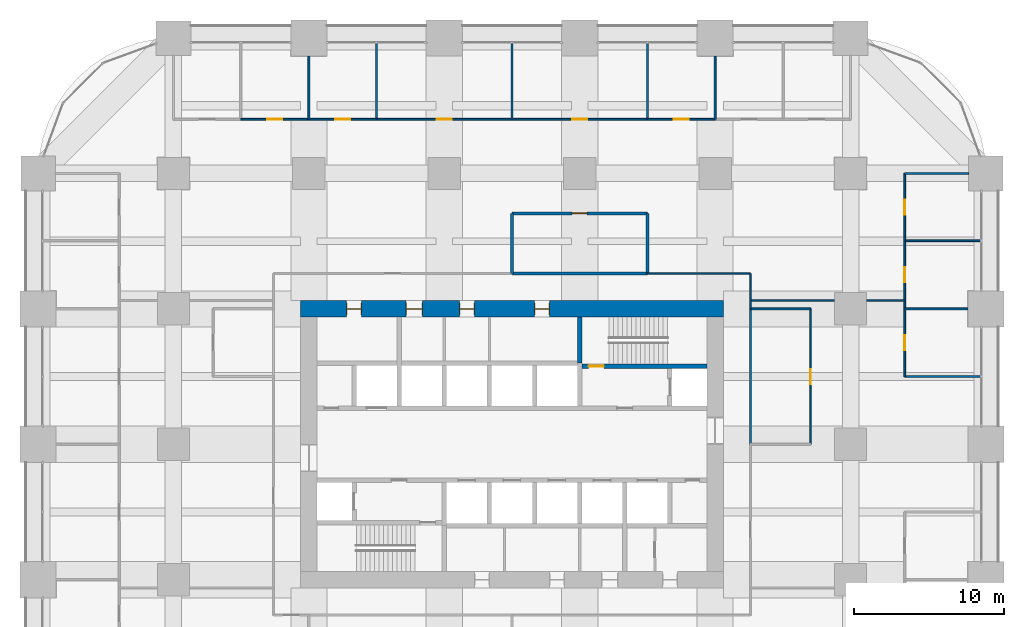
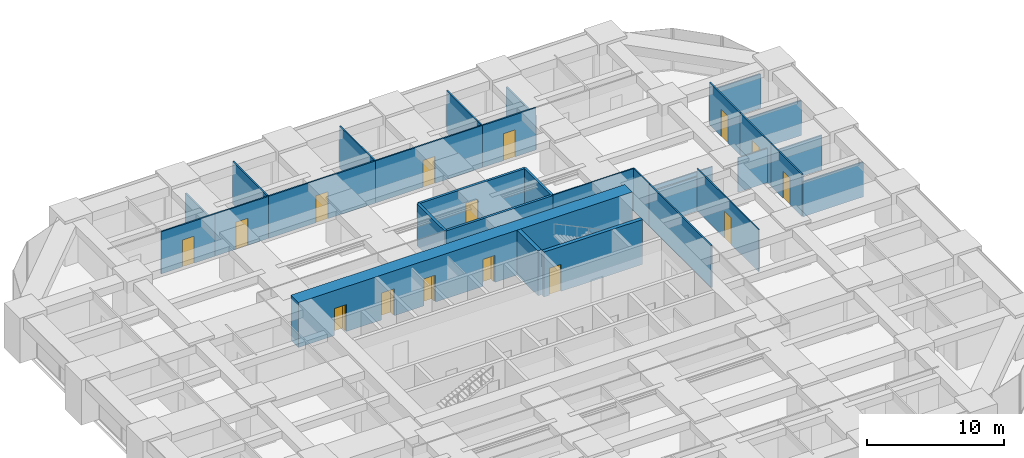
# One storey, part 42 of 45: 31 walls, 15 doors, 15 openings.
"""IFC4 building model written with IfcOpenShell, lengths in metres."""

from ifc_helpers import new_model, si_unit, direction, frame, frame_2d, origin, place, context, subcontext, project, spatial, rectangle, extrude, material, layer, layer_set, type_object, element, fill, save


model = new_model("IFC4")

# Units and contexts
model_context = context("Model", 3, precision=1e-05, world=origin(), true_north=direction((0.0, 1.0)))
body_context = subcontext(model_context, "Body", "Model", "MODEL_VIEW")
ifc_project = project(units=[si_unit("LENGTHUNIT", "METRE"), si_unit("AREAUNIT", "SQUARE_METRE"), si_unit("VOLUMEUNIT", "CUBIC_METRE"), si_unit("PLANEANGLEUNIT", "RADIAN"), si_unit("MASSUNIT", "GRAM", prefix="KILO")], contexts=[model_context])

# Site, building, storey
site_placement = place(None, origin())
site = spatial("IfcSite", under=ifc_project, at=site_placement, CompositionType="ELEMENT")
building_placement = place(site_placement, origin())
building = spatial("IfcBuilding", under=site, at=building_placement, Name="Zorevar Civic Tower", CompositionType="ELEMENT")
storey_placement = place(building_placement, frame((0.0, 0.0, 71.800048828125)))
storey = spatial("IfcBuildingStorey", under=building, at=storey_placement, Name="L17", CompositionType="ELEMENT", Elevation=71.800048828125)

# Wall
ifc_material_1 = material(Name="Concrete blockwork", Category="masonry")
ifc_layer_1 = layer(ifc_material_1, 0.199951171875)
ifc_layer_set_1 = layer_set([ifc_layer_1], Name="Blockwork wall 200")
wall_type_1 = type_object("IfcWallType", Name="Blockwork wall 200", PredefinedType="SOLIDWALL", material=ifc_layer_set_1)
wall_1_placement = place(storey_placement, frame((31.5, 38.35009765625, 0.0), z_axis=(0.0, 0.0, 1.0), x_axis=(1.0, 0.0, 0.0)))
element("IfcWall", 1, at=wall_1_placement, inside=storey, type_object=wall_type_1, Name="Blockwork wall 200 L17", PredefinedType="SOLIDWALL", context=body_context, shape_type="SweptSolid", body=[
    extrude(rectangle(XDim=9.0, YDim=0.199951171875, at=frame_2d((4.5, 0.0))), origin(), (0.0, 0.0, 1.0), 3.75),
])

# Wall, opening, door
wall_2_placement = place(storey_placement, frame((31.5, 42.35009765625, 0.0), z_axis=(0.0, 0.0, 1.0), x_axis=(1.0, 0.0, 0.0)))
wall_2 = element("IfcWall", 2, at=wall_2_placement, inside=storey, type_object=wall_type_1, Name="Blockwork wall 200 L17", PredefinedType="SOLIDWALL", context=body_context, shape_type="SweptSolid", body=[
    extrude(rectangle(XDim=9.0, YDim=0.199951171875, at=frame_2d((4.5, 0.0))), origin(), (0.0, 0.0, 1.0), 3.75),
])
opening_1_placement = place(wall_2_placement, frame((4.0, 0.0, 0.0)))
opening_1 = element("IfcOpeningElement", 3, at=opening_1_placement, cuts=wall_2, Name="Opening L17.28", PredefinedType="OPENING", context=body_context, shape_type="SweptSolid", body=[
    extrude(rectangle(XDim=1.0, YDim=2.39990234375, at=frame_2d((0.5, 1.199951171875))), frame((0.0, 0.10986328125, 0.0), z_axis=(0.0, -1.0, 0.0), x_axis=(1.0, 0.0, 0.0)), (0.0, 0.0, 1.0), 0.219970703125),
])
ifc_material_2 = material(Name="Steel door set", Category="steel")
door_type_1 = type_object("IfcDoorType", Name="Security door SD1 1000x2400", OperationType="SINGLE_SWING_LEFT", PredefinedType="DOOR", material=ifc_material_2)
door_1_placement = place(opening_1_placement, origin())
door_1 = element("IfcDoor", 4, at=door_1_placement, inside=storey, type_object=door_type_1, Name="Door L17 D1", OperationType="SINGLE_SWING_LEFT", OverallHeight=2.39990234375, OverallWidth=1.0, PredefinedType="DOOR", context=body_context, shape_type="SweptSolid", body=[
    extrude(rectangle(XDim=1.0, YDim=2.39990234375, at=frame_2d((0.5, 1.199951171875))), frame((0.0, 0.03515625, 0.0), z_axis=(0.0, -1.0, 0.0), x_axis=(1.0, 0.0, 0.0)), (0.0, 0.0, 1.0), 0.070068359375),
])
fill(opening_1, door_1)

# Walls
for number, where, z_axis, x_axis, name in (
    (5, (31.5, 38.35009765625, 0.0), (0.0, 0.0, 1.0), (0.0, 1.0, 0.0), "Blockwork wall 200 L17"),
    (6, (40.5, 38.35009765625, 0.0), (0.0, 0.0, 1.0), (0.0, 1.0, 0.0), "Blockwork wall 200 L17"),
):
    element("IfcWall", number, at=place(storey_placement, frame(where, z_axis=z_axis, x_axis=x_axis)), inside=storey, type_object=wall_type_1, Name=name, PredefinedType="SOLIDWALL", context=body_context, shape_type="SweptSolid", body=[
        extrude(rectangle(XDim=4.0, YDim=0.199951171875, at=frame_2d((2.0, 0.0))), origin(), (0.0, 0.0, 1.0), 3.75),
    ])

# Wall, openings, doors
ifc_material_3 = material(Name="Concrete C50/60", Category="concrete")
ifc_layer_2 = layer(ifc_material_3, 1.10009765625)
ifc_layer_set_2 = layer_set([ifc_layer_2], Name="Core wall 1100")
wall_type_2 = type_object("IfcWallType", Name="Core wall 1100", PredefinedType="SHEAR", material=ifc_layer_set_2)
wall_3_placement = place(storey_placement, frame((45.550048828125, 36.0, 0.0), z_axis=(0.0, 0.0, 1.0), x_axis=(-1.0, 0.0, 0.0)))
wall_3 = element("IfcWall", 7, at=wall_3_placement, inside=storey, type_object=wall_type_2, Name="Core wall N L17", PredefinedType="SHEAR", context=body_context, shape_type="SweptSolid", body=[
    extrude(rectangle(XDim=28.10009765625, YDim=1.10009765625, at=frame_2d((14.050048828125, 0.0))), origin(), (0.0, 0.0, 1.0), 4.0),
])
opening_2_placement = place(wall_3_placement, frame((11.550048828125, 0.0, 0.0)))
opening_2 = element("IfcOpeningElement", 8, at=opening_2_placement, cuts=wall_3, Name="Opening L17.07", PredefinedType="OPENING", context=body_context, shape_type="SweptSolid", body=[
    extrude(rectangle(XDim=1.0, YDim=2.39990234375, at=frame_2d((0.5, 1.199951171875))), frame((0.0, 0.56005859375, 0.0), z_axis=(0.0, -1.0, 0.0), x_axis=(1.0, 0.0, 0.0)), (0.0, 0.0, 1.0), 1.1201171875),
])
opening_3_placement = place(wall_3_placement, frame((16.550048828125, 0.0, 0.0)))
opening_3 = element("IfcOpeningElement", 9, at=opening_3_placement, cuts=wall_3, Name="Opening L17.08", PredefinedType="OPENING", context=body_context, shape_type="SweptSolid", body=[
    extrude(rectangle(XDim=1.0, YDim=2.39990234375, at=frame_2d((0.5, 1.199951171875))), frame((0.0, 0.56005859375, 0.0), z_axis=(0.0, -1.0, 0.0), x_axis=(1.0, 0.0, 0.0)), (0.0, 0.0, 1.0), 1.1201171875),
])
opening_4_placement = place(wall_3_placement, frame((20.0, 0.0, 0.0)))
opening_4 = element("IfcOpeningElement", 10, at=opening_4_placement, cuts=wall_3, Name="Opening L17.09", PredefinedType="OPENING", context=body_context, shape_type="SweptSolid", body=[
    extrude(rectangle(XDim=1.10009765625, YDim=2.39990234375, at=frame_2d((0.550048828125, 1.199951171875))), frame((0.0, 0.56005859375, 0.0), z_axis=(0.0, -1.0, 0.0), x_axis=(1.0, 0.0, 0.0)), (0.0, 0.0, 1.0), 1.1201171875),
])
opening_5_placement = place(wall_3_placement, frame((24.050048828125, 0.0, 0.0)))
opening_5 = element("IfcOpeningElement", 11, at=opening_5_placement, cuts=wall_3, Name="Opening L17.10", PredefinedType="OPENING", context=body_context, shape_type="SweptSolid", body=[
    extrude(rectangle(XDim=1.0, YDim=2.39990234375, at=frame_2d((0.5, 1.199951171875))), frame((0.0, 0.56005859375, 0.0), z_axis=(0.0, -1.0, 0.0), x_axis=(1.0, 0.0, 0.0)), (0.0, 0.0, 1.0), 1.1201171875),
])
ifc_material_4 = material(Name="Timber door set", Category="wood")
door_type_2 = type_object("IfcDoorType", Name="Door D1 1000x2400", OperationType="SINGLE_SWING_LEFT", PredefinedType="DOOR", material=ifc_material_4)
door_2_placement = place(opening_2_placement, origin())
door_2 = element("IfcDoor", 12, at=door_2_placement, inside=storey, type_object=door_type_2, Name="Door L17 06", OperationType="SINGLE_SWING_RIGHT", OverallHeight=2.39990234375, OverallWidth=1.0, PredefinedType="DOOR", context=body_context, shape_type="SweptSolid", body=[
    extrude(rectangle(XDim=1.0, YDim=2.39990234375, at=frame_2d((0.5, 1.199951171875))), frame((0.0, 0.02490234375, 0.0), z_axis=(0.0, -1.0, 0.0), x_axis=(1.0, 0.0, 0.0)), (0.0, 0.0, 1.0), 0.050048828125),
    extrude(rectangle(XDim=0.04, YDim=2.39990234375, at=frame_2d((0.02001953125, 1.199951171875))), frame((0.0, 0.39990234375, 0.0), z_axis=(0.0, -1.0, 0.0), x_axis=(1.0, 0.0, 0.0)), (0.0, 0.0, 1.0), 0.800048828125),
    extrude(rectangle(XDim=0.04, YDim=2.39990234375, at=frame_2d((0.97998046875, 1.199951171875))), frame((0.0, 0.39990234375, 0.0), z_axis=(0.0, -1.0, 0.0), x_axis=(1.0, 0.0, 0.0)), (0.0, 0.0, 1.0), 0.800048828125),
    extrude(rectangle(XDim=1.0, YDim=0.04, at=frame_2d((0.5, 2.3798828125))), frame((0.0, 0.39990234375, 0.0), z_axis=(0.0, -1.0, 0.0), x_axis=(1.0, 0.0, 0.0)), (0.0, 0.0, 1.0), 0.800048828125),
])
fill(opening_2, door_2)
door_3_placement = place(opening_3_placement, origin())
door_3 = element("IfcDoor", 13, at=door_3_placement, inside=storey, type_object=door_type_2, Name="Door L17 07", OperationType="SINGLE_SWING_LEFT", OverallHeight=2.39990234375, OverallWidth=1.0, PredefinedType="DOOR", context=body_context, shape_type="SweptSolid", body=[
    extrude(rectangle(XDim=1.0, YDim=2.39990234375, at=frame_2d((0.5, 1.199951171875))), frame((0.0, 0.02490234375, 0.0), z_axis=(0.0, -1.0, 0.0), x_axis=(1.0, 0.0, 0.0)), (0.0, 0.0, 1.0), 0.050048828125),
    extrude(rectangle(XDim=0.04, YDim=2.39990234375, at=frame_2d((0.02001953125, 1.199951171875))), frame((0.0, 0.39990234375, 0.0), z_axis=(0.0, -1.0, 0.0), x_axis=(1.0, 0.0, 0.0)), (0.0, 0.0, 1.0), 0.800048828125),
    extrude(rectangle(XDim=0.04, YDim=2.39990234375, at=frame_2d((0.97998046875, 1.199951171875))), frame((0.0, 0.39990234375, 0.0), z_axis=(0.0, -1.0, 0.0), x_axis=(1.0, 0.0, 0.0)), (0.0, 0.0, 1.0), 0.800048828125),
    extrude(rectangle(XDim=1.0, YDim=0.04, at=frame_2d((0.5, 2.3798828125))), frame((0.0, 0.39990234375, 0.0), z_axis=(0.0, -1.0, 0.0), x_axis=(1.0, 0.0, 0.0)), (0.0, 0.0, 1.0), 0.800048828125),
])
fill(opening_3, door_3)
door_4_placement = place(opening_5_placement, origin())
door_4 = element("IfcDoor", 14, at=door_4_placement, inside=storey, type_object=door_type_2, Name="Door L17 09", OperationType="SINGLE_SWING_LEFT", OverallHeight=2.39990234375, OverallWidth=1.0, PredefinedType="DOOR", context=body_context, shape_type="SweptSolid", body=[
    extrude(rectangle(XDim=1.0, YDim=2.39990234375, at=frame_2d((0.5, 1.199951171875))), frame((0.0, 0.02490234375, 0.0), z_axis=(0.0, -1.0, 0.0), x_axis=(1.0, 0.0, 0.0)), (0.0, 0.0, 1.0), 0.050048828125),
    extrude(rectangle(XDim=0.04, YDim=2.39990234375, at=frame_2d((0.02001953125, 1.199951171875))), frame((0.0, 0.39990234375, 0.0), z_axis=(0.0, -1.0, 0.0), x_axis=(1.0, 0.0, 0.0)), (0.0, 0.0, 1.0), 0.800048828125),
    extrude(rectangle(XDim=0.04, YDim=2.39990234375, at=frame_2d((0.97998046875, 1.199951171875))), frame((0.0, 0.39990234375, 0.0), z_axis=(0.0, -1.0, 0.0), x_axis=(1.0, 0.0, 0.0)), (0.0, 0.0, 1.0), 0.800048828125),
    extrude(rectangle(XDim=1.0, YDim=0.04, at=frame_2d((0.5, 2.3798828125))), frame((0.0, 0.39990234375, 0.0), z_axis=(0.0, -1.0, 0.0), x_axis=(1.0, 0.0, 0.0)), (0.0, 0.0, 1.0), 0.800048828125),
])
fill(opening_5, door_4)
ifc_material_5 = material(Name="Timber door set", Category="wood")
door_type_3 = type_object("IfcDoorType", Name="Door D5 1100x2400", OperationType="SINGLE_SWING_LEFT", PredefinedType="DOOR", material=ifc_material_5)
door_5_placement = place(opening_4_placement, origin())
door_5 = element("IfcDoor", 15, at=door_5_placement, inside=storey, type_object=door_type_3, Name="Door L17 08", OperationType="SINGLE_SWING_LEFT", OverallHeight=2.39990234375, OverallWidth=1.10009765625, PredefinedType="DOOR", context=body_context, shape_type="SweptSolid", body=[
    extrude(rectangle(XDim=1.10009765625, YDim=2.39990234375, at=frame_2d((0.550048828125, 1.199951171875))), frame((0.0, 0.02490234375, 0.0), z_axis=(0.0, -1.0, 0.0), x_axis=(1.0, 0.0, 0.0)), (0.0, 0.0, 1.0), 0.050048828125),
    extrude(rectangle(XDim=0.04, YDim=2.39990234375, at=frame_2d((0.02001953125, 1.199951171875))), frame((0.0, 0.43994140625, 0.0), z_axis=(0.0, -1.0, 0.0), x_axis=(1.0, 0.0, 0.0)), (0.0, 0.0, 1.0), 0.880126953125),
    extrude(rectangle(XDim=0.04, YDim=2.39990234375, at=frame_2d((1.080078125, 1.199951171875))), frame((0.0, 0.43994140625, 0.0), z_axis=(0.0, -1.0, 0.0), x_axis=(1.0, 0.0, 0.0)), (0.0, 0.0, 1.0), 0.880126953125),
    extrude(rectangle(XDim=1.10009765625, YDim=0.04, at=frame_2d((0.550048828125, 2.3798828125))), frame((0.0, 0.43994140625, 0.0), z_axis=(0.0, -1.0, 0.0), x_axis=(1.0, 0.0, 0.0)), (0.0, 0.0, 1.0), 0.880126953125),
])
fill(opening_4, door_5)

# Walls
ifc_material_6 = material(Name="Laminated glass in black aluminium frame", Category="aluminium")
ifc_layer_3 = layer(ifc_material_6, 0.10009765625)
ifc_layer_set_3 = layer_set([ifc_layer_3], Name="Glazed partition 100")
wall_type_3 = type_object("IfcWallType", Name="Glazed partition 100", PredefinedType="PARTITIONING", material=ifc_layer_set_3)
wall_4_placement = place(storey_placement, frame((47.35009765625, 36.550048828125, 0.0), z_axis=(0.0, 0.0, 1.0), x_axis=(1.0, 0.0, 0.0)))
element("IfcWall", 16, at=wall_4_placement, inside=storey, type_object=wall_type_3, Name="Glazed partition 100 L17", PredefinedType="PARTITIONING", context=body_context, shape_type="SweptSolid", body=[
    extrude(rectangle(XDim=5.574951171875, YDim=0.10009765625, at=frame_2d((2.78759765625, 0.0))), origin(), (0.0, 0.0, 1.0), 3.050048828125),
])
wall_5_placement = place(storey_placement, frame((55.074951171875, 36.550048828125, 0.0), z_axis=(0.0, 0.0, 1.0), x_axis=(1.0, 0.0, 0.0)))
element("IfcWall", 17, at=wall_5_placement, inside=storey, type_object=wall_type_3, Name="Glazed partition 100 L17", PredefinedType="PARTITIONING", context=body_context, shape_type="SweptSolid", body=[
    extrude(rectangle(XDim=2.53515625, YDim=0.10009765625, at=frame_2d((1.267578125, 0.0))), origin(), (0.0, 0.0, 1.0), 3.050048828125),
])
wall_6_placement = place(storey_placement, frame((40.5, 38.35009765625, 0.0), z_axis=(0.0, 0.0, 1.0), x_axis=(1.0, 0.0, 0.0)))
element("IfcWall", 18, at=wall_6_placement, inside=storey, type_object=wall_type_3, Name="Glazed partition 100 L17", PredefinedType="PARTITIONING", context=body_context, shape_type="SweptSolid", body=[
    extrude(rectangle(XDim=6.85009765625, YDim=0.10009765625, at=frame_2d((3.425048828125, 0.0))), origin(), (0.0, 0.0, 1.0), 3.75),
])
wall_7_placement = place(storey_placement, frame((47.35009765625, 36.0, 0.0), z_axis=(0.0, 0.0, 1.0), x_axis=(0.0, 1.0, 0.0)))
element("IfcWall", 19, at=wall_7_placement, inside=storey, type_object=wall_type_3, Name="Glazed partition 100 L17", PredefinedType="PARTITIONING", context=body_context, shape_type="SweptSolid", body=[
    extrude(rectangle(XDim=2.35009765625, YDim=0.10009765625, at=frame_2d((1.175048828125, 0.0))), origin(), (0.0, 0.0, 1.0), 3.75),
])

# Wall, opening, door
wall_8_placement = place(storey_placement, frame((51.35009765625, 27.0, 0.0), z_axis=(0.0, 0.0, 1.0), x_axis=(0.0, 1.0, 0.0)))
wall_8 = element("IfcWall", 20, at=wall_8_placement, inside=storey, type_object=wall_type_3, Name="Glazed partition 100 L17", PredefinedType="PARTITIONING", context=body_context, shape_type="SweptSolid", body=[
    extrude(rectangle(XDim=9.0, YDim=0.10009765625, at=frame_2d((4.5, 0.0))), origin(), (0.0, 0.0, 1.0), 3.75),
])
opening_6_placement = place(wall_8_placement, frame((4.0, 0.0, 0.0)))
opening_6 = element("IfcOpeningElement", 21, at=opening_6_placement, cuts=wall_8, Name="Opening L17.46", PredefinedType="OPENING", context=body_context, shape_type="SweptSolid", body=[
    extrude(rectangle(XDim=1.0, YDim=2.39990234375, at=frame_2d((0.5, 1.199951171875))), frame((0.0, 0.06005859375, 0.0), z_axis=(0.0, -1.0, 0.0), x_axis=(1.0, 0.0, 0.0)), (0.0, 0.0, 1.0), 0.1201171875),
])
ifc_material_7 = material(Name="Timber door set", Category="wood")
door_type_4 = type_object("IfcDoorType", Name="Glazed door GD1 1000x2400", OperationType="SINGLE_SWING_LEFT", PredefinedType="DOOR", material=ifc_material_7)
door_6_placement = place(opening_6_placement, origin())
door_6 = element("IfcDoor", 22, at=door_6_placement, inside=storey, type_object=door_type_4, Name="Door L17 D1", OperationType="SINGLE_SWING_RIGHT", OverallHeight=2.39990234375, OverallWidth=1.0, PredefinedType="DOOR", context=body_context, shape_type="SweptSolid", body=[
    extrude(rectangle(XDim=1.0, YDim=2.39990234375, at=frame_2d((0.5, 1.199951171875))), frame((0.0, 0.02001953125, 0.0), z_axis=(0.0, -1.0, 0.0), x_axis=(1.0, 0.0, 0.0)), (0.0, 0.0, 1.0), 0.0400390625),
])
fill(opening_6, door_6)

ifc_material_8 = material(Name="Concrete C40/50", Category="concrete")
ifc_layer_4 = layer(ifc_material_8, 0.300048828125)
ifc_layer_set_4 = layer_set([ifc_layer_4], Name="Inner core wall 300")
wall_type_4 = type_object("IfcWallType", Name="Inner core wall 300", PredefinedType="SHEAR", material=ifc_layer_set_4)
wall_9_placement = place(storey_placement, frame((36.14990234375, 32.199951171875, 0.0), z_axis=(0.0, 0.0, 1.0), x_axis=(1.0, 0.0, 0.0)))
wall_9 = element("IfcWall", 23, at=wall_9_placement, inside=storey, type_object=wall_type_4, Name="Inner core wall N00 L17", PredefinedType="SHEAR", context=body_context, shape_type="SweptSolid", body=[
    extrude(rectangle(XDim=8.300048828125, YDim=0.300048828125, at=frame_2d((4.14990234375, 0.0))), origin(), (0.0, 0.0, 1.0), 4.0),
])
opening_7_placement = place(wall_9_placement, frame((0.449951171875, 0.0, 0.0)))
opening_7 = element("IfcOpeningElement", 24, at=opening_7_placement, cuts=wall_9, Name="Opening L17.12", PredefinedType="OPENING", context=body_context, shape_type="SweptSolid", body=[
    extrude(rectangle(XDim=1.0, YDim=2.39990234375, at=frame_2d((0.5, 1.199951171875))), frame((0.0, 0.159912109375, 0.0), z_axis=(0.0, -1.0, 0.0), x_axis=(1.0, 0.0, 0.0)), (0.0, 0.0, 1.0), 0.320068359375),
])
ifc_material_9 = material(Name="Steel door set", Category="steel")
door_type_5 = type_object("IfcDoorType", Name="Fire door FD1 1000x2400", OperationType="SINGLE_SWING_LEFT", PredefinedType="DOOR", material=ifc_material_9)
door_7_placement = place(opening_7_placement, origin())
door_7 = element("IfcDoor", 25, at=door_7_placement, inside=storey, type_object=door_type_5, Name="Door L17 11", OperationType="SINGLE_SWING_RIGHT", OverallHeight=2.39990234375, OverallWidth=1.0, PredefinedType="DOOR", context=body_context, shape_type="SweptSolid", body=[
    extrude(rectangle(XDim=1.0, YDim=2.39990234375, at=frame_2d((0.5, 1.199951171875))), frame((0.0, 0.030029296875, 0.0), z_axis=(0.0, -1.0, 0.0), x_axis=(1.0, 0.0, 0.0)), (0.0, 0.0, 1.0), 0.06005859375),
])
fill(opening_7, door_7)

# Walls
wall_10_placement = place(storey_placement, frame((36.0, 32.39990234375, 0.0), z_axis=(0.0, 0.0, 1.0), x_axis=(0.0, 1.0, 0.0)))
element("IfcWall", 26, at=wall_10_placement, inside=storey, type_object=wall_type_4, Name="Inner core wall N01 L17", PredefinedType="SHEAR", context=body_context, shape_type="SweptSolid", body=[
    extrude(rectangle(XDim=3.050048828125, YDim=0.300048828125, at=frame_2d((1.52490234375, 0.0))), origin(), (0.0, 0.0, 1.0), 4.0),
])
ifc_material_10 = material(Name="Gypsum board on steel studs", Category="steel")
ifc_layer_5 = layer(ifc_material_10, 0.1201171875)
ifc_layer_set_5 = layer_set([ifc_layer_5], Name="Partition 120")
wall_type_5 = type_object("IfcWallType", Name="Partition 120", PredefinedType="PARTITIONING", material=ifc_layer_set_5)
wall_11_placement = place(storey_placement, frame((57.60009765625, 31.5, 0.0), z_axis=(0.0, 0.0, 1.0), x_axis=(1.0, 0.0, 0.0)))
element("IfcWall", 27, at=wall_11_placement, inside=storey, type_object=wall_type_5, Name="Partition 120 L17", PredefinedType="PARTITIONING", context=body_context, shape_type="SweptSolid", body=[
    extrude(rectangle(XDim=5.08984375, YDim=0.1201171875, at=frame_2d((2.544921875, 0.0))), origin(), (0.0, 0.0, 1.0), 3.099853515625),
])
wall_12_placement = place(storey_placement, frame((57.60009765625, 36.0, 0.0), z_axis=(0.0, 0.0, 1.0), x_axis=(1.0, 0.0, 0.0)))
element("IfcWall", 28, at=wall_12_placement, inside=storey, type_object=wall_type_5, Name="Partition 120 L17", PredefinedType="PARTITIONING", context=body_context, shape_type="SweptSolid", body=[
    extrude(rectangle(XDim=4.199951171875, YDim=0.1201171875, at=frame_2d((2.10009765625, 0.0))), origin(), (0.0, 0.0, 1.0), 3.050048828125),
])
wall_13_placement = place(storey_placement, frame((47.35009765625, 36.0, 0.0), z_axis=(0.0, 0.0, 1.0), x_axis=(1.0, 0.0, 0.0)))
element("IfcWall", 29, at=wall_13_placement, inside=storey, type_object=wall_type_5, Name="Partition 120 L17", PredefinedType="PARTITIONING", context=body_context, shape_type="SweptSolid", body=[
    extrude(rectangle(XDim=4.0, YDim=0.1201171875, at=frame_2d((2.0, 0.0))), origin(), (0.0, 0.0, 1.0), 3.050048828125),
])
wall_14_placement = place(storey_placement, frame((57.60009765625, 40.52490234375, 0.0), z_axis=(0.0, 0.0, 1.0), x_axis=(1.0, 0.0, 0.0)))
element("IfcWall", 30, at=wall_14_placement, inside=storey, type_object=wall_type_5, Name="Partition 120 L17", PredefinedType="PARTITIONING", context=body_context, shape_type="SweptSolid", body=[
    extrude(rectangle(XDim=5.08984375, YDim=0.1201171875, at=frame_2d((2.544921875, 0.0))), origin(), (0.0, 0.0, 1.0), 3.099853515625),
])
wall_15_placement = place(storey_placement, frame((57.60009765625, 45.0, 0.0), z_axis=(0.0, 0.0, 1.0), x_axis=(1.0, 0.0, 0.0)))
element("IfcWall", 31, at=wall_15_placement, inside=storey, type_object=wall_type_5, Name="Partition 120 L17", PredefinedType="PARTITIONING", context=body_context, shape_type="SweptSolid", body=[
    extrude(rectangle(XDim=4.25, YDim=0.1201171875, at=frame_2d((2.125, 0.0))), origin(), (0.0, 0.0, 1.0), 3.050048828125),
])

# Wall, opening, door
wall_16_placement = place(storey_placement, frame((13.47509765625, 48.60009765625, 0.0), z_axis=(0.0, 0.0, 1.0), x_axis=(1.0, 0.0, 0.0)))
wall_16 = element("IfcWall", 32, at=wall_16_placement, inside=storey, type_object=wall_type_5, Name="Partition 120 L17", PredefinedType="PARTITIONING", context=body_context, shape_type="SweptSolid", body=[
    extrude(rectangle(XDim=4.52490234375, YDim=0.1201171875, at=frame_2d((2.262451171875, 0.0))), origin(), (0.0, 0.0, 1.0), 3.75),
])
opening_8_placement = place(wall_16_placement, frame((1.762939453125, 0.0, 0.0)))
opening_8 = element("IfcOpeningElement", 33, at=opening_8_placement, cuts=wall_16, Name="Opening L17.30", PredefinedType="OPENING", context=body_context, shape_type="SweptSolid", body=[
    extrude(rectangle(XDim=1.0, YDim=2.39990234375, at=frame_2d((0.5, 1.199951171875))), frame((0.0, 0.070068359375, 0.0), z_axis=(0.0, -1.0, 0.0), x_axis=(1.0, 0.0, 0.0)), (0.0, 0.0, 1.0), 0.14013671875),
])
door_8_placement = place(opening_8_placement, origin())
door_8 = element("IfcDoor", 34, at=door_8_placement, inside=storey, type_object=door_type_2, Name="Door L17 D1", OperationType="SINGLE_SWING_LEFT", OverallHeight=2.39990234375, OverallWidth=1.0, PredefinedType="DOOR", context=body_context, shape_type="SweptSolid", body=[
    extrude(rectangle(XDim=1.0, YDim=2.39990234375, at=frame_2d((0.5, 1.199951171875))), frame((0.0, 0.02490234375, 0.0), z_axis=(0.0, -1.0, 0.0), x_axis=(1.0, 0.0, 0.0)), (0.0, 0.0, 1.0), 0.050048828125),
])
fill(opening_8, door_8)

wall_17_placement = place(storey_placement, frame((18.0, 48.60009765625, 0.0), z_axis=(0.0, 0.0, 1.0), x_axis=(1.0, 0.0, 0.0)))
wall_17 = element("IfcWall", 35, at=wall_17_placement, inside=storey, type_object=wall_type_5, Name="Partition 120 L17", PredefinedType="PARTITIONING", context=body_context, shape_type="SweptSolid", body=[
    extrude(rectangle(XDim=4.5, YDim=0.1201171875, at=frame_2d((2.25, 0.0))), origin(), (0.0, 0.0, 1.0), 3.75),
])
opening_9_placement = place(wall_17_placement, frame((1.75, 0.0, 0.0)))
opening_9 = element("IfcOpeningElement", 36, at=opening_9_placement, cuts=wall_17, Name="Opening L17.31", PredefinedType="OPENING", context=body_context, shape_type="SweptSolid", body=[
    extrude(rectangle(XDim=1.0, YDim=2.39990234375, at=frame_2d((0.5, 1.199951171875))), frame((0.0, 0.070068359375, 0.0), z_axis=(0.0, -1.0, 0.0), x_axis=(1.0, 0.0, 0.0)), (0.0, 0.0, 1.0), 0.14013671875),
])
door_9_placement = place(opening_9_placement, origin())
door_9 = element("IfcDoor", 37, at=door_9_placement, inside=storey, type_object=door_type_2, Name="Door L17 D1", OperationType="SINGLE_SWING_LEFT", OverallHeight=2.39990234375, OverallWidth=1.0, PredefinedType="DOOR", context=body_context, shape_type="SweptSolid", body=[
    extrude(rectangle(XDim=1.0, YDim=2.39990234375, at=frame_2d((0.5, 1.199951171875))), frame((0.0, 0.02490234375, 0.0), z_axis=(0.0, -1.0, 0.0), x_axis=(1.0, 0.0, 0.0)), (0.0, 0.0, 1.0), 0.050048828125),
])
fill(opening_9, door_9)

wall_18_placement = place(storey_placement, frame((22.5, 48.60009765625, 0.0), z_axis=(0.0, 0.0, 1.0), x_axis=(1.0, 0.0, 0.0)))
wall_18 = element("IfcWall", 38, at=wall_18_placement, inside=storey, type_object=wall_type_5, Name="Partition 120 L17", PredefinedType="PARTITIONING", context=body_context, shape_type="SweptSolid", body=[
    extrude(rectangle(XDim=9.0, YDim=0.1201171875, at=frame_2d((4.5, 0.0))), origin(), (0.0, 0.0, 1.0), 3.75),
])
opening_10_placement = place(wall_18_placement, frame((4.0, 0.0, 0.0)))
opening_10 = element("IfcOpeningElement", 39, at=opening_10_placement, cuts=wall_18, Name="Opening L17.32", PredefinedType="OPENING", context=body_context, shape_type="SweptSolid", body=[
    extrude(rectangle(XDim=1.0, YDim=2.39990234375, at=frame_2d((0.5, 1.199951171875))), frame((0.0, 0.070068359375, 0.0), z_axis=(0.0, -1.0, 0.0), x_axis=(1.0, 0.0, 0.0)), (0.0, 0.0, 1.0), 0.14013671875),
])
door_10_placement = place(opening_10_placement, origin())
door_10 = element("IfcDoor", 40, at=door_10_placement, inside=storey, type_object=door_type_2, Name="Door L17 D1", OperationType="SINGLE_SWING_LEFT", OverallHeight=2.39990234375, OverallWidth=1.0, PredefinedType="DOOR", context=body_context, shape_type="SweptSolid", body=[
    extrude(rectangle(XDim=1.0, YDim=2.39990234375, at=frame_2d((0.5, 1.199951171875))), frame((0.0, 0.02490234375, 0.0), z_axis=(0.0, -1.0, 0.0), x_axis=(1.0, 0.0, 0.0)), (0.0, 0.0, 1.0), 0.050048828125),
])
fill(opening_10, door_10)

wall_19_placement = place(storey_placement, frame((31.5, 48.60009765625, 0.0), z_axis=(0.0, 0.0, 1.0), x_axis=(1.0, 0.0, 0.0)))
wall_19 = element("IfcWall", 41, at=wall_19_placement, inside=storey, type_object=wall_type_5, Name="Partition 120 L17", PredefinedType="PARTITIONING", context=body_context, shape_type="SweptSolid", body=[
    extrude(rectangle(XDim=9.0, YDim=0.1201171875, at=frame_2d((4.5, 0.0))), origin(), (0.0, 0.0, 1.0), 3.75),
])
opening_11_placement = place(wall_19_placement, frame((4.0, 0.0, 0.0)))
opening_11 = element("IfcOpeningElement", 42, at=opening_11_placement, cuts=wall_19, Name="Opening L17.33", PredefinedType="OPENING", context=body_context, shape_type="SweptSolid", body=[
    extrude(rectangle(XDim=1.0, YDim=2.39990234375, at=frame_2d((0.5, 1.199951171875))), frame((0.0, 0.070068359375, 0.0), z_axis=(0.0, -1.0, 0.0), x_axis=(1.0, 0.0, 0.0)), (0.0, 0.0, 1.0), 0.14013671875),
])
door_11_placement = place(opening_11_placement, origin())
door_11 = element("IfcDoor", 43, at=door_11_placement, inside=storey, type_object=door_type_2, Name="Door L17 D1", OperationType="SINGLE_SWING_RIGHT", OverallHeight=2.39990234375, OverallWidth=1.0, PredefinedType="DOOR", context=body_context, shape_type="SweptSolid", body=[
    extrude(rectangle(XDim=1.0, YDim=2.39990234375, at=frame_2d((0.5, 1.199951171875))), frame((0.0, 0.02490234375, 0.0), z_axis=(0.0, -1.0, 0.0), x_axis=(1.0, 0.0, 0.0)), (0.0, 0.0, 1.0), 0.050048828125),
])
fill(opening_11, door_11)

wall_20_placement = place(storey_placement, frame((40.5, 48.60009765625, 0.0), z_axis=(0.0, 0.0, 1.0), x_axis=(1.0, 0.0, 0.0)))
wall_20 = element("IfcWall", 44, at=wall_20_placement, inside=storey, type_object=wall_type_5, Name="Partition 120 L17", PredefinedType="PARTITIONING", context=body_context, shape_type="SweptSolid", body=[
    extrude(rectangle(XDim=4.5, YDim=0.1201171875, at=frame_2d((2.25, 0.0))), origin(), (0.0, 0.0, 1.0), 3.75),
])
opening_12_placement = place(wall_20_placement, frame((1.75, 0.0, 0.0)))
opening_12 = element("IfcOpeningElement", 45, at=opening_12_placement, cuts=wall_20, Name="Opening L17.34", PredefinedType="OPENING", context=body_context, shape_type="SweptSolid", body=[
    extrude(rectangle(XDim=1.0, YDim=2.39990234375, at=frame_2d((0.5, 1.199951171875))), frame((0.0, 0.070068359375, 0.0), z_axis=(0.0, -1.0, 0.0), x_axis=(1.0, 0.0, 0.0)), (0.0, 0.0, 1.0), 0.14013671875),
])
door_12_placement = place(opening_12_placement, origin())
door_12 = element("IfcDoor", 46, at=door_12_placement, inside=storey, type_object=door_type_2, Name="Door L17 D1", OperationType="SINGLE_SWING_RIGHT", OverallHeight=2.39990234375, OverallWidth=1.0, PredefinedType="DOOR", context=body_context, shape_type="SweptSolid", body=[
    extrude(rectangle(XDim=1.0, YDim=2.39990234375, at=frame_2d((0.5, 1.199951171875))), frame((0.0, 0.02490234375, 0.0), z_axis=(0.0, -1.0, 0.0), x_axis=(1.0, 0.0, 0.0)), (0.0, 0.0, 1.0), 0.050048828125),
])
fill(opening_12, door_12)

# Walls
wall_21_placement = place(storey_placement, frame((18.0, 48.60009765625, 0.0), z_axis=(0.0, 0.0, 1.0), x_axis=(0.0, 1.0, 0.0)))
element("IfcWall", 47, at=wall_21_placement, inside=storey, type_object=wall_type_5, Name="Partition 120 L17", PredefinedType="PARTITIONING", context=body_context, shape_type="SweptSolid", body=[
    extrude(rectangle(XDim=4.199951171875, YDim=0.1201171875, at=frame_2d((2.10009765625, 0.0))), origin(), (0.0, 0.0, 1.0), 3.050048828125),
])
for number, where, z_axis, x_axis, name in (
    (48, (22.5, 48.60009765625, 0.0), (0.0, 0.0, 1.0), (0.0, 1.0, 0.0), "Partition 120 L17"),
    (49, (31.5, 48.60009765625, 0.0), (0.0, 0.0, 1.0), (0.0, 1.0, 0.0), "Partition 120 L17"),
    (50, (40.5, 48.60009765625, 0.0), (0.0, 0.0, 1.0), (0.0, 1.0, 0.0), "Partition 120 L17"),
):
    element("IfcWall", number, at=place(storey_placement, frame(where, z_axis=z_axis, x_axis=x_axis)), inside=storey, type_object=wall_type_5, Name=name, PredefinedType="PARTITIONING", context=body_context, shape_type="SweptSolid", body=[
        extrude(rectangle(XDim=5.08984375, YDim=0.1201171875, at=frame_2d((2.544921875, 0.0))), origin(), (0.0, 0.0, 1.0), 3.75),
    ])
wall_22_placement = place(storey_placement, frame((45.0, 48.60009765625, 0.0), z_axis=(0.0, 0.0, 1.0), x_axis=(0.0, 1.0, 0.0)))
element("IfcWall", 51, at=wall_22_placement, inside=storey, type_object=wall_type_5, Name="Partition 120 L17", PredefinedType="PARTITIONING", context=body_context, shape_type="SweptSolid", body=[
    extrude(rectangle(XDim=4.199951171875, YDim=0.1201171875, at=frame_2d((2.10009765625, 0.0))), origin(), (0.0, 0.0, 1.0), 3.050048828125),
])
wall_23_placement = place(storey_placement, frame((47.35009765625, 27.0, 0.0), z_axis=(0.0, 0.0, 1.0), x_axis=(0.0, 1.0, 0.0)))
element("IfcWall", 52, at=wall_23_placement, inside=storey, type_object=wall_type_5, Name="Partition 120 L17", PredefinedType="PARTITIONING", context=body_context, shape_type="SweptSolid", body=[
    extrude(rectangle(XDim=9.0, YDim=0.1201171875, at=frame_2d((4.5, 0.0))), origin(), (0.0, 0.0, 1.0), 3.75),
])

# Wall, opening, door
wall_24_placement = place(storey_placement, frame((57.60009765625, 31.5, 0.0), z_axis=(0.0, 0.0, 1.0), x_axis=(0.0, 1.0, 0.0)))
wall_24 = element("IfcWall", 53, at=wall_24_placement, inside=storey, type_object=wall_type_5, Name="Partition 120 L17", PredefinedType="PARTITIONING", context=body_context, shape_type="SweptSolid", body=[
    extrude(rectangle(XDim=4.5, YDim=0.1201171875, at=frame_2d((2.25, 0.0))), origin(), (0.0, 0.0, 1.0), 3.75),
])
opening_13_placement = place(wall_24_placement, frame((1.75, 0.0, 0.0)))
opening_13 = element("IfcOpeningElement", 54, at=opening_13_placement, cuts=wall_24, Name="Opening L17.50", PredefinedType="OPENING", context=body_context, shape_type="SweptSolid", body=[
    extrude(rectangle(XDim=1.0, YDim=2.39990234375, at=frame_2d((0.5, 1.199951171875))), frame((0.0, 0.070068359375, 0.0), z_axis=(0.0, -1.0, 0.0), x_axis=(1.0, 0.0, 0.0)), (0.0, 0.0, 1.0), 0.14013671875),
])
door_13_placement = place(opening_13_placement, origin())
door_13 = element("IfcDoor", 55, at=door_13_placement, inside=storey, type_object=door_type_2, Name="Door L17 D1", OperationType="SINGLE_SWING_LEFT", OverallHeight=2.39990234375, OverallWidth=1.0, PredefinedType="DOOR", context=body_context, shape_type="SweptSolid", body=[
    extrude(rectangle(XDim=1.0, YDim=2.39990234375, at=frame_2d((0.5, 1.199951171875))), frame((0.0, 0.02490234375, 0.0), z_axis=(0.0, -1.0, 0.0), x_axis=(1.0, 0.0, 0.0)), (0.0, 0.0, 1.0), 0.050048828125),
])
fill(opening_13, door_13)

wall_25_placement = place(storey_placement, frame((57.60009765625, 36.0, 0.0), z_axis=(0.0, 0.0, 1.0), x_axis=(0.0, 1.0, 0.0)))
wall_25 = element("IfcWall", 56, at=wall_25_placement, inside=storey, type_object=wall_type_5, Name="Partition 120 L17", PredefinedType="PARTITIONING", context=body_context, shape_type="SweptSolid", body=[
    extrude(rectangle(XDim=4.52490234375, YDim=0.1201171875, at=frame_2d((2.262451171875, 0.0))), origin(), (0.0, 0.0, 1.0), 3.75),
])
opening_14_placement = place(wall_25_placement, frame((1.762939453125, 0.0, 0.0)))
opening_14 = element("IfcOpeningElement", 57, at=opening_14_placement, cuts=wall_25, Name="Opening L17.51", PredefinedType="OPENING", context=body_context, shape_type="SweptSolid", body=[
    extrude(rectangle(XDim=1.0, YDim=2.39990234375, at=frame_2d((0.5, 1.199951171875))), frame((0.0, 0.070068359375, 0.0), z_axis=(0.0, -1.0, 0.0), x_axis=(1.0, 0.0, 0.0)), (0.0, 0.0, 1.0), 0.14013671875),
])
door_14_placement = place(opening_14_placement, origin())
door_14 = element("IfcDoor", 58, at=door_14_placement, inside=storey, type_object=door_type_2, Name="Door L17 D1", OperationType="SINGLE_SWING_RIGHT", OverallHeight=2.39990234375, OverallWidth=1.0, PredefinedType="DOOR", context=body_context, shape_type="SweptSolid", body=[
    extrude(rectangle(XDim=1.0, YDim=2.39990234375, at=frame_2d((0.5, 1.199951171875))), frame((0.0, 0.02490234375, 0.0), z_axis=(0.0, -1.0, 0.0), x_axis=(1.0, 0.0, 0.0)), (0.0, 0.0, 1.0), 0.050048828125),
])
fill(opening_14, door_14)

wall_26_placement = place(storey_placement, frame((57.60009765625, 40.52490234375, 0.0), z_axis=(0.0, 0.0, 1.0), x_axis=(0.0, 1.0, 0.0)))
wall_26 = element("IfcWall", 59, at=wall_26_placement, inside=storey, type_object=wall_type_5, Name="Partition 120 L17", PredefinedType="PARTITIONING", context=body_context, shape_type="SweptSolid", body=[
    extrude(rectangle(XDim=4.47509765625, YDim=0.1201171875, at=frame_2d((2.237548828125, 0.0))), origin(), (0.0, 0.0, 1.0), 3.75),
])
opening_15_placement = place(wall_26_placement, frame((1.738037109375, 0.0, 0.0)))
opening_15 = element("IfcOpeningElement", 60, at=opening_15_placement, cuts=wall_26, Name="Opening L17.52", PredefinedType="OPENING", context=body_context, shape_type="SweptSolid", body=[
    extrude(rectangle(XDim=1.0, YDim=2.39990234375, at=frame_2d((0.5, 1.199951171875))), frame((0.0, 0.070068359375, 0.0), z_axis=(0.0, -1.0, 0.0), x_axis=(1.0, 0.0, 0.0)), (0.0, 0.0, 1.0), 0.14013671875),
])
door_15_placement = place(opening_15_placement, origin())
door_15 = element("IfcDoor", 61, at=door_15_placement, inside=storey, type_object=door_type_2, Name="Door L17 D1", OperationType="SINGLE_SWING_RIGHT", OverallHeight=2.39990234375, OverallWidth=1.0, PredefinedType="DOOR", context=body_context, shape_type="SweptSolid", body=[
    extrude(rectangle(XDim=1.0, YDim=2.39990234375, at=frame_2d((0.5, 1.199951171875))), frame((0.0, 0.02490234375, 0.0), z_axis=(0.0, -1.0, 0.0), x_axis=(1.0, 0.0, 0.0)), (0.0, 0.0, 1.0), 0.050048828125),
])
fill(opening_15, door_15)

save(model, "model.ifc")
